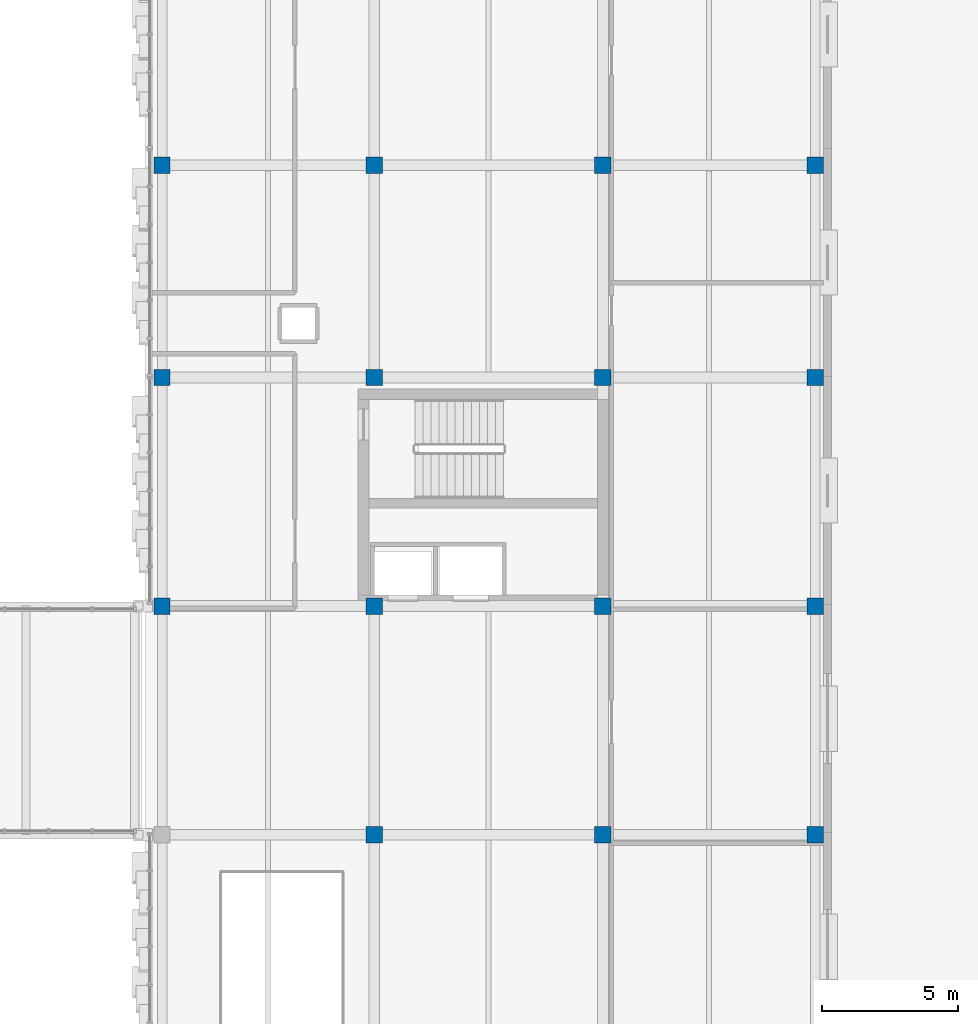
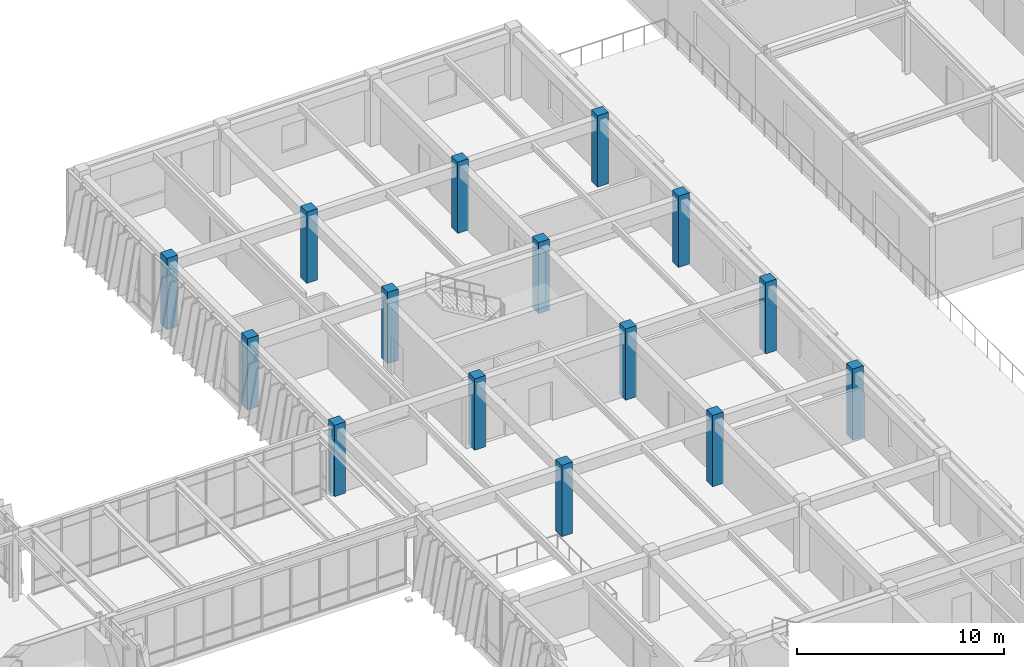
# One storey, part 12 of 127: 15 columns.
"""IFC4 building model written with IfcOpenShell, lengths in metres."""

from ifc_helpers import new_model, si_unit, direction, frame, origin, origin_2d, place, context, subcontext, project, spatial, rectangle, extrude, material, material_profile, profile_set, type_object, element, save


model = new_model("IFC4")

# Units and contexts
model_context = context("Model", 3, precision=1e-05, world=origin(), true_north=direction((0.0, 1.0)))
body_context = subcontext(model_context, "Body", "Model", "MODEL_VIEW")
ifc_project = project(units=[si_unit("LENGTHUNIT", "METRE"), si_unit("AREAUNIT", "SQUARE_METRE"), si_unit("VOLUMEUNIT", "CUBIC_METRE"), si_unit("PLANEANGLEUNIT", "RADIAN"), si_unit("MASSUNIT", "GRAM", prefix="KILO")], contexts=[model_context])

# Site, building, storey
site_placement = place(None, origin())
site = spatial("IfcSite", under=ifc_project, at=site_placement, CompositionType="ELEMENT")
building_placement = place(site_placement, origin())
building = spatial("IfcBuilding", under=site, at=building_placement, Name="Zayran Congress Hotel", CompositionType="ELEMENT")
storey_placement = place(building_placement, frame((0.0, 0.0, 10.800048828125)))
storey = spatial("IfcBuildingStorey", under=building, at=storey_placement, Name="L02", CompositionType="ELEMENT", Elevation=10.800048828125)

# Columns
ifc_material = material(Name="Concrete C40/50", Category="concrete")
ifc_material_profile = material_profile(ifc_material, rectangle(XDim=0.60009765625, YDim=0.60009765625, at=origin_2d()), Name="RC 600x600")
ifc_profile_set = profile_set([ifc_material_profile], Name="Concrete C40/50")
column_type = type_object("IfcColumnType", Name="TP-CL-04", PredefinedType="COLUMN", material=ifc_profile_set)
for number, where, z_axis, x_axis, name in (
    (1, (109.800048828125, 84.39990234375, 0.0), (0.0, 0.0, 1.0), (1.0, 0.0, 0.0), "COL-V4-L02-0798"),
    (2, (109.800048828125, 92.800048828125, 0.0), (0.0, 0.0, 1.0), (1.0, 0.0, 0.0), "COL-V4-L02-0799"),
    (3, (109.800048828125, 100.60009765625, 0.0), (0.0, 0.0, 1.0), (1.0, 0.0, 0.0), "COL-V4-L02-0800"),
    (4, (117.60009765625, 76.0, 0.0), (0.0, 0.0, 1.0), (1.0, 0.0, 0.0), "COL-V4-L02-0806"),
    (5, (117.60009765625, 84.39990234375, 0.0), (0.0, 0.0, 1.0), (1.0, 0.0, 0.0), "COL-V4-L02-0807"),
    (6, (117.60009765625, 92.800048828125, 0.0), (0.0, 0.0, 1.0), (1.0, 0.0, 0.0), "COL-V4-L02-0808"),
    (7, (117.60009765625, 100.60009765625, 0.0), (0.0, 0.0, 1.0), (1.0, 0.0, 0.0), "COL-V4-L02-0809"),
    (8, (126.0, 76.0, 0.0), (0.0, 0.0, 1.0), (1.0, 0.0, 0.0), "COL-V4-L02-0815"),
    (9, (126.0, 84.39990234375, 0.0), (0.0, 0.0, 1.0), (1.0, 0.0, 0.0), "COL-V4-L02-0816"),
    (10, (126.0, 92.800048828125, 0.0), (0.0, 0.0, 1.0), (1.0, 0.0, 0.0), "COL-V4-L02-0817"),
    (11, (126.0, 100.60009765625, 0.0), (0.0, 0.0, 1.0), (1.0, 0.0, 0.0), "COL-V4-L02-0818"),
    (12, (133.800048828125, 76.0, 0.0), (0.0, 0.0, 1.0), (1.0, 0.0, 0.0), "COL-V4-L02-0824"),
    (13, (133.800048828125, 84.39990234375, 0.0), (0.0, 0.0, 1.0), (1.0, 0.0, 0.0), "COL-V4-L02-0825"),
    (14, (133.800048828125, 92.800048828125, 0.0), (0.0, 0.0, 1.0), (1.0, 0.0, 0.0), "COL-V4-L02-0826"),
    (15, (133.800048828125, 100.60009765625, 0.0), (0.0, 0.0, 1.0), (1.0, 0.0, 0.0), "COL-V4-L02-0827"),
):
    element("IfcColumn", number, at=place(storey_placement, frame(where, z_axis=z_axis, x_axis=x_axis)), inside=storey, type_object=column_type, Name=name, PredefinedType="COLUMN", context=body_context, shape_type="SweptSolid", body=[
        extrude(rectangle(XDim=0.60009765625, YDim=0.60009765625, at=origin_2d()), origin(), (0.0, 0.0, 1.0), 4.199951171875),
    ])

save(model, "model.ifc")
